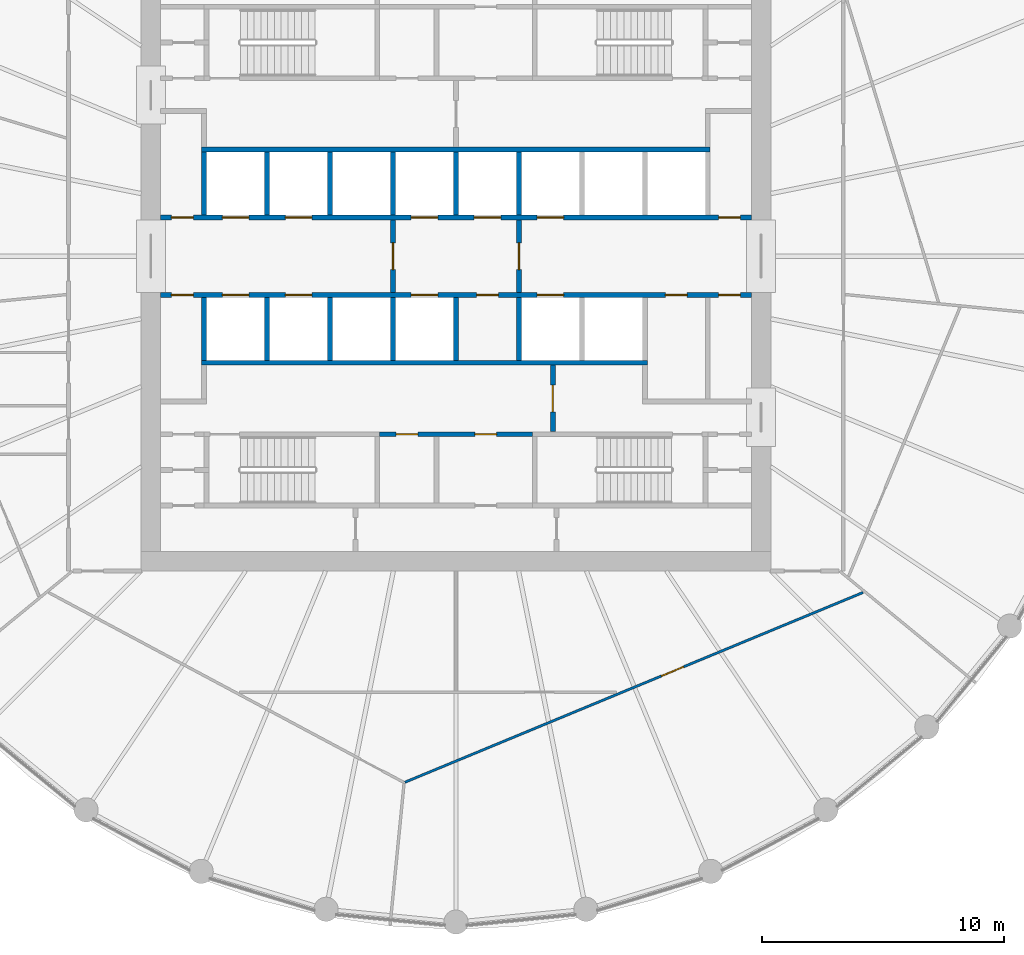
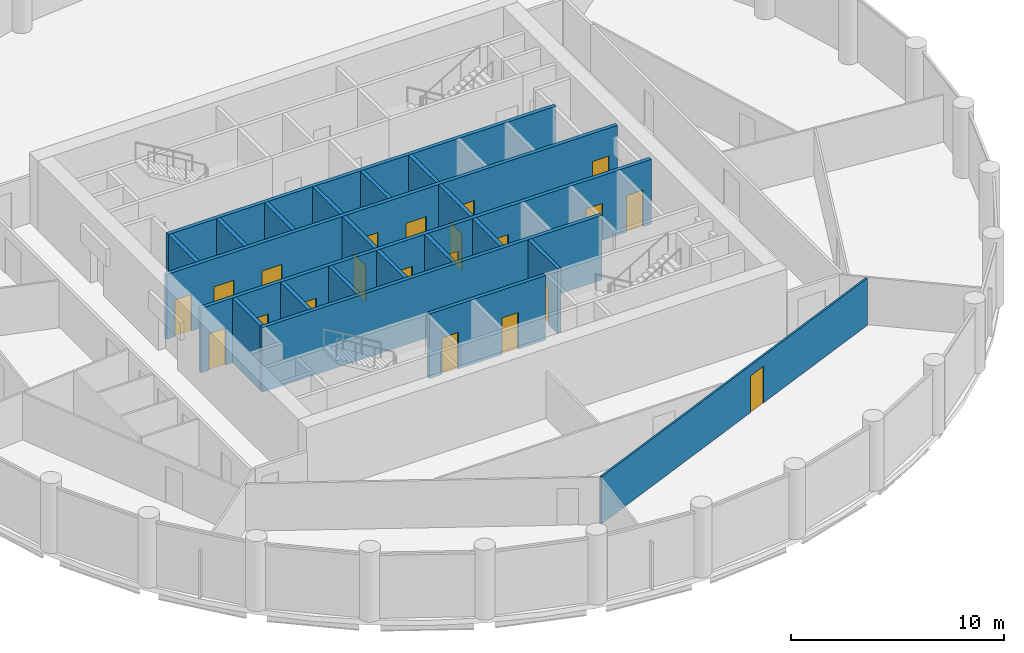
# One storey, part 5 of 9: 21 doors, 21 walls, 21 openings.
"""IFC4 building model written with IfcOpenShell, lengths in metres."""

from ifc_helpers import new_model, si_unit, direction, frame, frame_2d, origin, place, context, subcontext, project, spatial, polyline, rectangle, outline, extrude, material, layer, layer_set, type_object, element, fill, save


model = new_model("IFC4")

# Units and contexts
model_context = context("Model", 3, precision=1e-05, world=origin(), true_north=direction((0.0, 1.0)))
body_context = subcontext(model_context, "Body", "Model", "MODEL_VIEW")
ifc_project = project(units=[si_unit("LENGTHUNIT", "METRE"), si_unit("AREAUNIT", "SQUARE_METRE"), si_unit("VOLUMEUNIT", "CUBIC_METRE"), si_unit("PLANEANGLEUNIT", "RADIAN"), si_unit("MASSUNIT", "GRAM", prefix="KILO")], contexts=[model_context])

# Site, building, storey
site_placement = place(None, origin())
site = spatial("IfcSite", under=ifc_project, at=site_placement, CompositionType="ELEMENT")
building_placement = place(site_placement, origin())
building = spatial("IfcBuilding", under=site, at=building_placement, Name="Corvane Civic Tower", CompositionType="ELEMENT")
storey_placement = place(building_placement, frame((0.0, 0.0, 225.5)))
storey = spatial("IfcBuildingStorey", under=building, at=storey_placement, Name="L53", CompositionType="ELEMENT", Elevation=225.5)

# Wall, openings, doors
ifc_material_1 = material(Name="Concrete C30/37", Category="concrete")
ifc_layer_1 = layer(ifc_material_1, 0.199951171875)
ifc_layer_set_1 = layer_set([ifc_layer_1], Name="Concrete C30/37")
wall_type_1 = type_object("IfcWallType", Name="CR-WALL-200", PredefinedType="PARTITIONING", material=ifc_layer_set_1)
wall_1_placement = place(storey_placement, frame((-3.14990234375, -7.35009765625, 0.0), z_axis=(0.0, 0.0, 1.0), x_axis=(1.0, 0.0, 0.0)))
wall_1 = element("IfcWall", 1, at=wall_1_placement, inside=storey, type_object=wall_type_1, Name="L53 core partition wall", PredefinedType="PARTITIONING", context=body_context, shape_type="SweptSolid", body=[
    extrude(rectangle(XDim=6.2998046875, YDim=0.199951171875, at=frame_2d((3.14990234375, 0.0))), origin(), (0.0, 0.0, 1.0), 3.699951171875),
])
opening_1_placement = place(wall_1_placement, frame((0.675048828125, 0.0, 0.0)))
opening_1 = element("IfcOpeningElement", 2, at=opening_1_placement, cuts=wall_1, Name="Opening L53.C09", PredefinedType="OPENING", context=body_context, shape_type="SweptSolid", body=[
    extrude(rectangle(XDim=0.89990234375, YDim=2.10009765625, at=frame_2d((0.449951171875, 1.050048828125))), frame((0.0, 0.10986328125, 0.0), z_axis=(0.0, -1.0, 0.0), x_axis=(1.0, 0.0, 0.0)), (0.0, 0.0, 1.0), 0.219970703125),
])
opening_2_placement = place(wall_1_placement, frame((3.925048828125, 0.0, 0.0)))
opening_2 = element("IfcOpeningElement", 3, at=opening_2_placement, cuts=wall_1, Name="Opening L53.C10", PredefinedType="OPENING", context=body_context, shape_type="SweptSolid", body=[
    extrude(rectangle(XDim=0.89990234375, YDim=2.10009765625, at=frame_2d((0.449951171875, 1.050048828125))), frame((0.0, 0.10986328125, 0.0), z_axis=(0.0, -1.0, 0.0), x_axis=(1.0, 0.0, 0.0)), (0.0, 0.0, 1.0), 0.219970703125),
])
ifc_material_2 = material(Name="Steel fire door leaf", Category="steel")
door_type_1 = type_object("IfcDoorType", Name="CR-DOOR-900", OperationType="SINGLE_SWING_LEFT", PredefinedType="DOOR", material=ifc_material_2)
door_1_placement = place(opening_1_placement, origin())
door_1 = element("IfcDoor", 4, at=door_1_placement, inside=storey, type_object=door_type_1, Name="L53 door", OperationType="SINGLE_SWING_LEFT", OverallHeight=2.10009765625, OverallWidth=0.89990234375, PredefinedType="DOOR", context=body_context, shape_type="SweptSolid", body=[
    extrude(rectangle(XDim=0.89990234375, YDim=2.10009765625, at=frame_2d((0.449951171875, 1.050048828125))), frame((0.0, 0.02490234375, 0.0), z_axis=(0.0, -1.0, 0.0), x_axis=(1.0, 0.0, 0.0)), (0.0, 0.0, 1.0), 0.050048828125),
])
fill(opening_1, door_1)
door_2_placement = place(opening_2_placement, origin())
door_2 = element("IfcDoor", 5, at=door_2_placement, inside=storey, type_object=door_type_1, Name="L53 door", OperationType="SINGLE_SWING_LEFT", OverallHeight=2.10009765625, OverallWidth=0.89990234375, PredefinedType="DOOR", context=body_context, shape_type="SweptSolid", body=[
    extrude(rectangle(XDim=0.89990234375, YDim=2.10009765625, at=frame_2d((0.449951171875, 1.050048828125))), frame((0.0, 0.02490234375, 0.0), z_axis=(0.0, -1.0, 0.0), x_axis=(1.0, 0.0, 0.0)), (0.0, 0.0, 1.0), 0.050048828125),
])
fill(opening_2, door_2)

wall_2_placement = place(storey_placement, frame((-12.199951171875, -1.60009765625, 0.0), z_axis=(0.0, 0.0, 1.0), x_axis=(1.0, 0.0, 0.0)))
wall_2 = element("IfcWall", 6, at=wall_2_placement, inside=storey, type_object=wall_type_1, Name="L53 lift shaft wall", PredefinedType="PARTITIONING", context=body_context, shape_type="SweptSolid", body=[
    extrude(rectangle(XDim=24.39990234375, YDim=0.199951171875, at=frame_2d((12.199951171875, 0.0))), origin(), (0.0, 0.0, 1.0), 3.699951171875),
])
opening_3_placement = place(wall_2_placement, frame((2.550048828125, 0.0, 0.0)))
opening_3 = element("IfcOpeningElement", 7, at=opening_3_placement, cuts=wall_2, Name="Opening LD", PredefinedType="OPENING", context=body_context, shape_type="SweptSolid", body=[
    extrude(rectangle(XDim=1.10009765625, YDim=2.10009765625, at=frame_2d((0.550048828125, 1.050048828125))), frame((0.0, 0.10986328125, 0.0), z_axis=(0.0, -1.0, 0.0), x_axis=(1.0, 0.0, 0.0)), (0.0, 0.0, 1.0), 0.219970703125),
])
opening_4_placement = place(wall_2_placement, frame((5.14990234375, 0.0, 0.0)))
opening_4 = element("IfcOpeningElement", 8, at=opening_4_placement, cuts=wall_2, Name="Opening LD", PredefinedType="OPENING", context=body_context, shape_type="SweptSolid", body=[
    extrude(rectangle(XDim=1.10009765625, YDim=2.10009765625, at=frame_2d((0.550048828125, 1.050048828125))), frame((0.0, 0.10986328125, 0.0), z_axis=(0.0, -1.0, 0.0), x_axis=(1.0, 0.0, 0.0)), (0.0, 0.0, 1.0), 0.219970703125),
])
opening_5_placement = place(wall_2_placement, frame((10.35009765625, 0.0, 0.0)))
opening_5 = element("IfcOpeningElement", 9, at=opening_5_placement, cuts=wall_2, Name="Opening LD", PredefinedType="OPENING", context=body_context, shape_type="SweptSolid", body=[
    extrude(rectangle(XDim=1.10009765625, YDim=2.10009765625, at=frame_2d((0.550048828125, 1.050048828125))), frame((0.0, 0.10986328125, 0.0), z_axis=(0.0, -1.0, 0.0), x_axis=(1.0, 0.0, 0.0)), (0.0, 0.0, 1.0), 0.219970703125),
])
opening_6_placement = place(wall_2_placement, frame((13.050048828125, 0.0, 0.0)))
opening_6 = element("IfcOpeningElement", 10, at=opening_6_placement, cuts=wall_2, Name="Opening L53.C03", PredefinedType="OPENING", context=body_context, shape_type="SweptSolid", body=[
    extrude(rectangle(XDim=0.89990234375, YDim=2.10009765625, at=frame_2d((0.449951171875, 1.050048828125))), frame((0.0, 0.10986328125, 0.0), z_axis=(0.0, -1.0, 0.0), x_axis=(1.0, 0.0, 0.0)), (0.0, 0.0, 1.0), 0.219970703125),
])
opening_7_placement = place(wall_2_placement, frame((15.550048828125, 0.0, 0.0)))
opening_7 = element("IfcOpeningElement", 11, at=opening_7_placement, cuts=wall_2, Name="Opening LD", PredefinedType="OPENING", context=body_context, shape_type="SweptSolid", body=[
    extrude(rectangle(XDim=1.10009765625, YDim=2.10009765625, at=frame_2d((0.550048828125, 1.050048828125))), frame((0.0, 0.10986328125, 0.0), z_axis=(0.0, -1.0, 0.0), x_axis=(1.0, 0.0, 0.0)), (0.0, 0.0, 1.0), 0.219970703125),
])
opening_8_placement = place(wall_2_placement, frame((0.449951171875, 0.0, 0.0)))
opening_8 = element("IfcOpeningElement", 12, at=opening_8_placement, cuts=wall_2, Name="Opening L53.C04", PredefinedType="OPENING", context=body_context, shape_type="SweptSolid", body=[
    extrude(rectangle(XDim=0.89990234375, YDim=2.10009765625, at=frame_2d((0.449951171875, 1.050048828125))), frame((0.0, 0.10986328125, 0.0), z_axis=(0.0, -1.0, 0.0), x_axis=(1.0, 0.0, 0.0)), (0.0, 0.0, 1.0), 0.219970703125),
])
opening_9_placement = place(wall_2_placement, frame((20.85009765625, 0.0, 0.0)))
opening_9 = element("IfcOpeningElement", 13, at=opening_9_placement, cuts=wall_2, Name="Opening L53.C05", PredefinedType="OPENING", context=body_context, shape_type="SweptSolid", body=[
    extrude(rectangle(XDim=0.89990234375, YDim=2.10009765625, at=frame_2d((0.449951171875, 1.050048828125))), frame((0.0, 0.10986328125, 0.0), z_axis=(0.0, -1.0, 0.0), x_axis=(1.0, 0.0, 0.0)), (0.0, 0.0, 1.0), 0.219970703125),
])
opening_10_placement = place(wall_2_placement, frame((23.050048828125, 0.0, 0.0)))
opening_10 = element("IfcOpeningElement", 14, at=opening_10_placement, cuts=wall_2, Name="Opening L53.C06", PredefinedType="OPENING", context=body_context, shape_type="SweptSolid", body=[
    extrude(rectangle(XDim=0.89990234375, YDim=2.10009765625, at=frame_2d((0.449951171875, 1.050048828125))), frame((0.0, 0.10986328125, 0.0), z_axis=(0.0, -1.0, 0.0), x_axis=(1.0, 0.0, 0.0)), (0.0, 0.0, 1.0), 0.219970703125),
])
door_3_placement = place(opening_6_placement, origin())
door_3 = element("IfcDoor", 15, at=door_3_placement, inside=storey, type_object=door_type_1, Name="L53 door", OperationType="SINGLE_SWING_LEFT", OverallHeight=2.10009765625, OverallWidth=0.89990234375, PredefinedType="DOOR", context=body_context, shape_type="SweptSolid", body=[
    extrude(rectangle(XDim=0.89990234375, YDim=2.10009765625, at=frame_2d((0.449951171875, 1.050048828125))), frame((0.0, 0.02490234375, 0.0), z_axis=(0.0, -1.0, 0.0), x_axis=(1.0, 0.0, 0.0)), (0.0, 0.0, 1.0), 0.050048828125),
])
fill(opening_6, door_3)
door_4_placement = place(opening_8_placement, origin())
door_4 = element("IfcDoor", 16, at=door_4_placement, inside=storey, type_object=door_type_1, Name="L53 door", OperationType="SINGLE_SWING_LEFT", OverallHeight=2.10009765625, OverallWidth=0.89990234375, PredefinedType="DOOR", context=body_context, shape_type="SweptSolid", body=[
    extrude(rectangle(XDim=0.89990234375, YDim=2.10009765625, at=frame_2d((0.449951171875, 1.050048828125))), frame((0.0, 0.02490234375, 0.0), z_axis=(0.0, -1.0, 0.0), x_axis=(1.0, 0.0, 0.0)), (0.0, 0.0, 1.0), 0.050048828125),
])
fill(opening_8, door_4)
door_5_placement = place(opening_9_placement, origin())
door_5 = element("IfcDoor", 17, at=door_5_placement, inside=storey, type_object=door_type_1, Name="L53 door", OperationType="SINGLE_SWING_LEFT", OverallHeight=2.10009765625, OverallWidth=0.89990234375, PredefinedType="DOOR", context=body_context, shape_type="SweptSolid", body=[
    extrude(rectangle(XDim=0.89990234375, YDim=2.10009765625, at=frame_2d((0.449951171875, 1.050048828125))), frame((0.0, 0.02490234375, 0.0), z_axis=(0.0, -1.0, 0.0), x_axis=(1.0, 0.0, 0.0)), (0.0, 0.0, 1.0), 0.050048828125),
])
fill(opening_9, door_5)
door_6_placement = place(opening_10_placement, origin())
door_6 = element("IfcDoor", 18, at=door_6_placement, inside=storey, type_object=door_type_1, Name="L53 door", OperationType="SINGLE_SWING_LEFT", OverallHeight=2.10009765625, OverallWidth=0.89990234375, PredefinedType="DOOR", context=body_context, shape_type="SweptSolid", body=[
    extrude(rectangle(XDim=0.89990234375, YDim=2.10009765625, at=frame_2d((0.449951171875, 1.050048828125))), frame((0.0, 0.02490234375, 0.0), z_axis=(0.0, -1.0, 0.0), x_axis=(1.0, 0.0, 0.0)), (0.0, 0.0, 1.0), 0.050048828125),
])
fill(opening_10, door_6)
ifc_material_3 = material(Name="Stainless steel 316 door leaves", Category="steel")
door_type_2 = type_object("IfcDoorType", Name="LD", OperationType="DOUBLE_DOOR_SLIDING", PredefinedType="DOOR", material=ifc_material_3)
door_7_placement = place(opening_3_placement, origin())
door_7 = element("IfcDoor", 19, at=door_7_placement, inside=storey, type_object=door_type_2, Name="L53 landing door", OperationType="DOUBLE_DOOR_SLIDING", OverallHeight=2.10009765625, OverallWidth=1.10009765625, PredefinedType="DOOR", context=body_context, shape_type="SweptSolid", body=[
    extrude(rectangle(XDim=1.10009765625, YDim=2.10009765625, at=frame_2d((0.550048828125, 1.050048828125))), frame((0.0, 0.02490234375, 0.0), z_axis=(0.0, -1.0, 0.0), x_axis=(1.0, 0.0, 0.0)), (0.0, 0.0, 1.0), 0.050048828125),
])
fill(opening_3, door_7)
door_8_placement = place(opening_4_placement, origin())
door_8 = element("IfcDoor", 20, at=door_8_placement, inside=storey, type_object=door_type_2, Name="L53 landing door", OperationType="DOUBLE_DOOR_SLIDING", OverallHeight=2.10009765625, OverallWidth=1.10009765625, PredefinedType="DOOR", context=body_context, shape_type="SweptSolid", body=[
    extrude(rectangle(XDim=1.10009765625, YDim=2.10009765625, at=frame_2d((0.550048828125, 1.050048828125))), frame((0.0, 0.02490234375, 0.0), z_axis=(0.0, -1.0, 0.0), x_axis=(1.0, 0.0, 0.0)), (0.0, 0.0, 1.0), 0.050048828125),
])
fill(opening_4, door_8)
door_9_placement = place(opening_5_placement, origin())
door_9 = element("IfcDoor", 21, at=door_9_placement, inside=storey, type_object=door_type_2, Name="L53 landing door", OperationType="DOUBLE_DOOR_SLIDING", OverallHeight=2.10009765625, OverallWidth=1.10009765625, PredefinedType="DOOR", context=body_context, shape_type="SweptSolid", body=[
    extrude(rectangle(XDim=1.10009765625, YDim=2.10009765625, at=frame_2d((0.550048828125, 1.050048828125))), frame((0.0, 0.02490234375, 0.0), z_axis=(0.0, -1.0, 0.0), x_axis=(1.0, 0.0, 0.0)), (0.0, 0.0, 1.0), 0.050048828125),
])
fill(opening_5, door_9)
door_10_placement = place(opening_7_placement, origin())
door_10 = element("IfcDoor", 22, at=door_10_placement, inside=storey, type_object=door_type_2, Name="L53 landing door", OperationType="DOUBLE_DOOR_SLIDING", OverallHeight=2.10009765625, OverallWidth=1.10009765625, PredefinedType="DOOR", context=body_context, shape_type="SweptSolid", body=[
    extrude(rectangle(XDim=1.10009765625, YDim=2.10009765625, at=frame_2d((0.550048828125, 1.050048828125))), frame((0.0, 0.02490234375, 0.0), z_axis=(0.0, -1.0, 0.0), x_axis=(1.0, 0.0, 0.0)), (0.0, 0.0, 1.0), 0.050048828125),
])
fill(opening_7, door_10)

wall_3_placement = place(storey_placement, frame((-12.199951171875, 1.60009765625, 0.0), z_axis=(0.0, 0.0, 1.0), x_axis=(1.0, 0.0, 0.0)))
wall_3 = element("IfcWall", 23, at=wall_3_placement, inside=storey, type_object=wall_type_1, Name="L53 lift shaft wall", PredefinedType="PARTITIONING", context=body_context, shape_type="SweptSolid", body=[
    extrude(rectangle(XDim=24.39990234375, YDim=0.199951171875, at=frame_2d((12.199951171875, 0.0))), origin(), (0.0, 0.0, 1.0), 3.699951171875),
])
opening_11_placement = place(wall_3_placement, frame((2.550048828125, 0.0, 0.0)))
opening_11 = element("IfcOpeningElement", 24, at=opening_11_placement, cuts=wall_3, Name="Opening LD", PredefinedType="OPENING", context=body_context, shape_type="SweptSolid", body=[
    extrude(rectangle(XDim=1.10009765625, YDim=2.10009765625, at=frame_2d((0.550048828125, 1.050048828125))), frame((0.0, 0.10986328125, 0.0), z_axis=(0.0, -1.0, 0.0), x_axis=(1.0, 0.0, 0.0)), (0.0, 0.0, 1.0), 0.219970703125),
])
opening_12_placement = place(wall_3_placement, frame((5.14990234375, 0.0, 0.0)))
opening_12 = element("IfcOpeningElement", 25, at=opening_12_placement, cuts=wall_3, Name="Opening LD", PredefinedType="OPENING", context=body_context, shape_type="SweptSolid", body=[
    extrude(rectangle(XDim=1.10009765625, YDim=2.10009765625, at=frame_2d((0.550048828125, 1.050048828125))), frame((0.0, 0.10986328125, 0.0), z_axis=(0.0, -1.0, 0.0), x_axis=(1.0, 0.0, 0.0)), (0.0, 0.0, 1.0), 0.219970703125),
])
opening_13_placement = place(wall_3_placement, frame((10.35009765625, 0.0, 0.0)))
opening_13 = element("IfcOpeningElement", 26, at=opening_13_placement, cuts=wall_3, Name="Opening LD", PredefinedType="OPENING", context=body_context, shape_type="SweptSolid", body=[
    extrude(rectangle(XDim=1.10009765625, YDim=2.10009765625, at=frame_2d((0.550048828125, 1.050048828125))), frame((0.0, 0.10986328125, 0.0), z_axis=(0.0, -1.0, 0.0), x_axis=(1.0, 0.0, 0.0)), (0.0, 0.0, 1.0), 0.219970703125),
])
opening_14_placement = place(wall_3_placement, frame((12.949951171875, 0.0, 0.0)))
opening_14 = element("IfcOpeningElement", 27, at=opening_14_placement, cuts=wall_3, Name="Opening LD", PredefinedType="OPENING", context=body_context, shape_type="SweptSolid", body=[
    extrude(rectangle(XDim=1.10009765625, YDim=2.10009765625, at=frame_2d((0.550048828125, 1.050048828125))), frame((0.0, 0.10986328125, 0.0), z_axis=(0.0, -1.0, 0.0), x_axis=(1.0, 0.0, 0.0)), (0.0, 0.0, 1.0), 0.219970703125),
])
opening_15_placement = place(wall_3_placement, frame((15.550048828125, 0.0, 0.0)))
opening_15 = element("IfcOpeningElement", 28, at=opening_15_placement, cuts=wall_3, Name="Opening LD", PredefinedType="OPENING", context=body_context, shape_type="SweptSolid", body=[
    extrude(rectangle(XDim=1.10009765625, YDim=2.10009765625, at=frame_2d((0.550048828125, 1.050048828125))), frame((0.0, 0.10986328125, 0.0), z_axis=(0.0, -1.0, 0.0), x_axis=(1.0, 0.0, 0.0)), (0.0, 0.0, 1.0), 0.219970703125),
])
opening_16_placement = place(wall_3_placement, frame((0.449951171875, 0.0, 0.0)))
opening_16 = element("IfcOpeningElement", 29, at=opening_16_placement, cuts=wall_3, Name="Opening L53.C01", PredefinedType="OPENING", context=body_context, shape_type="SweptSolid", body=[
    extrude(rectangle(XDim=0.89990234375, YDim=2.10009765625, at=frame_2d((0.449951171875, 1.050048828125))), frame((0.0, 0.10986328125, 0.0), z_axis=(0.0, -1.0, 0.0), x_axis=(1.0, 0.0, 0.0)), (0.0, 0.0, 1.0), 0.219970703125),
])
opening_17_placement = place(wall_3_placement, frame((23.050048828125, 0.0, 0.0)))
opening_17 = element("IfcOpeningElement", 30, at=opening_17_placement, cuts=wall_3, Name="Opening L53.C02", PredefinedType="OPENING", context=body_context, shape_type="SweptSolid", body=[
    extrude(rectangle(XDim=0.89990234375, YDim=2.10009765625, at=frame_2d((0.449951171875, 1.050048828125))), frame((0.0, 0.10986328125, 0.0), z_axis=(0.0, -1.0, 0.0), x_axis=(1.0, 0.0, 0.0)), (0.0, 0.0, 1.0), 0.219970703125),
])
door_11_placement = place(opening_16_placement, origin())
door_11 = element("IfcDoor", 31, at=door_11_placement, inside=storey, type_object=door_type_1, Name="L53 door", OperationType="SINGLE_SWING_LEFT", OverallHeight=2.10009765625, OverallWidth=0.89990234375, PredefinedType="DOOR", context=body_context, shape_type="SweptSolid", body=[
    extrude(rectangle(XDim=0.89990234375, YDim=2.10009765625, at=frame_2d((0.449951171875, 1.050048828125))), frame((0.0, 0.02490234375, 0.0), z_axis=(0.0, -1.0, 0.0), x_axis=(1.0, 0.0, 0.0)), (0.0, 0.0, 1.0), 0.050048828125),
])
fill(opening_16, door_11)
door_12_placement = place(opening_17_placement, origin())
door_12 = element("IfcDoor", 32, at=door_12_placement, inside=storey, type_object=door_type_1, Name="L53 door", OperationType="SINGLE_SWING_LEFT", OverallHeight=2.10009765625, OverallWidth=0.89990234375, PredefinedType="DOOR", context=body_context, shape_type="SweptSolid", body=[
    extrude(rectangle(XDim=0.89990234375, YDim=2.10009765625, at=frame_2d((0.449951171875, 1.050048828125))), frame((0.0, 0.02490234375, 0.0), z_axis=(0.0, -1.0, 0.0), x_axis=(1.0, 0.0, 0.0)), (0.0, 0.0, 1.0), 0.050048828125),
])
fill(opening_17, door_12)
door_13_placement = place(opening_11_placement, origin())
door_13 = element("IfcDoor", 33, at=door_13_placement, inside=storey, type_object=door_type_2, Name="L53 landing door", OperationType="DOUBLE_DOOR_SLIDING", OverallHeight=2.10009765625, OverallWidth=1.10009765625, PredefinedType="DOOR", context=body_context, shape_type="SweptSolid", body=[
    extrude(rectangle(XDim=1.10009765625, YDim=2.10009765625, at=frame_2d((0.550048828125, 1.050048828125))), frame((0.0, 0.02490234375, 0.0), z_axis=(0.0, -1.0, 0.0), x_axis=(1.0, 0.0, 0.0)), (0.0, 0.0, 1.0), 0.050048828125),
])
fill(opening_11, door_13)
door_14_placement = place(opening_12_placement, origin())
door_14 = element("IfcDoor", 34, at=door_14_placement, inside=storey, type_object=door_type_2, Name="L53 landing door", OperationType="DOUBLE_DOOR_SLIDING", OverallHeight=2.10009765625, OverallWidth=1.10009765625, PredefinedType="DOOR", context=body_context, shape_type="SweptSolid", body=[
    extrude(rectangle(XDim=1.10009765625, YDim=2.10009765625, at=frame_2d((0.550048828125, 1.050048828125))), frame((0.0, 0.02490234375, 0.0), z_axis=(0.0, -1.0, 0.0), x_axis=(1.0, 0.0, 0.0)), (0.0, 0.0, 1.0), 0.050048828125),
])
fill(opening_12, door_14)
door_15_placement = place(opening_13_placement, origin())
door_15 = element("IfcDoor", 35, at=door_15_placement, inside=storey, type_object=door_type_2, Name="L53 landing door", OperationType="DOUBLE_DOOR_SLIDING", OverallHeight=2.10009765625, OverallWidth=1.10009765625, PredefinedType="DOOR", context=body_context, shape_type="SweptSolid", body=[
    extrude(rectangle(XDim=1.10009765625, YDim=2.10009765625, at=frame_2d((0.550048828125, 1.050048828125))), frame((0.0, 0.02490234375, 0.0), z_axis=(0.0, -1.0, 0.0), x_axis=(1.0, 0.0, 0.0)), (0.0, 0.0, 1.0), 0.050048828125),
])
fill(opening_13, door_15)
door_16_placement = place(opening_14_placement, origin())
door_16 = element("IfcDoor", 36, at=door_16_placement, inside=storey, type_object=door_type_2, Name="L53 landing door", OperationType="DOUBLE_DOOR_SLIDING", OverallHeight=2.10009765625, OverallWidth=1.10009765625, PredefinedType="DOOR", context=body_context, shape_type="SweptSolid", body=[
    extrude(rectangle(XDim=1.10009765625, YDim=2.10009765625, at=frame_2d((0.550048828125, 1.050048828125))), frame((0.0, 0.02490234375, 0.0), z_axis=(0.0, -1.0, 0.0), x_axis=(1.0, 0.0, 0.0)), (0.0, 0.0, 1.0), 0.050048828125),
])
fill(opening_14, door_16)
door_17_placement = place(opening_15_placement, origin())
door_17 = element("IfcDoor", 37, at=door_17_placement, inside=storey, type_object=door_type_2, Name="L53 landing door", OperationType="DOUBLE_DOOR_SLIDING", OverallHeight=2.10009765625, OverallWidth=1.10009765625, PredefinedType="DOOR", context=body_context, shape_type="SweptSolid", body=[
    extrude(rectangle(XDim=1.10009765625, YDim=2.10009765625, at=frame_2d((0.550048828125, 1.050048828125))), frame((0.0, 0.02490234375, 0.0), z_axis=(0.0, -1.0, 0.0), x_axis=(1.0, 0.0, 0.0)), (0.0, 0.0, 1.0), 0.050048828125),
])
fill(opening_15, door_17)

# Wall, opening, door
wall_4_placement = place(storey_placement, frame((-2.60009765625, -1.5, 0.0), z_axis=(0.0, 0.0, 1.0), x_axis=(0.0, 1.0, 0.0)))
wall_4 = element("IfcWall", 38, at=wall_4_placement, inside=storey, type_object=wall_type_1, Name="L53 firefighting lobby wall", PredefinedType="PARTITIONING", context=body_context, shape_type="SweptSolid", body=[
    extrude(rectangle(XDim=3.0, YDim=0.199951171875, at=frame_2d((1.5, 0.0))), origin(), (0.0, 0.0, 1.0), 3.699951171875),
])
opening_18_placement = place(wall_4_placement, frame((0.949951171875, 0.0, 0.0)))
opening_18 = element("IfcOpeningElement", 39, at=opening_18_placement, cuts=wall_4, Name="Opening L53.C30", PredefinedType="OPENING", context=body_context, shape_type="SweptSolid", body=[
    extrude(rectangle(XDim=1.10009765625, YDim=2.10009765625, at=frame_2d((0.550048828125, 1.050048828125))), frame((0.0, 0.10986328125, 0.0), z_axis=(0.0, -1.0, 0.0), x_axis=(1.0, 0.0, 0.0)), (0.0, 0.0, 1.0), 0.219970703125),
])
ifc_material_4 = material(Name="Steel fire door leaf", Category="steel")
door_type_3 = type_object("IfcDoorType", Name="CR-DOOR-FFL-1100", OperationType="SINGLE_SWING_LEFT", PredefinedType="DOOR", material=ifc_material_4)
door_18_placement = place(opening_18_placement, origin())
door_18 = element("IfcDoor", 40, at=door_18_placement, inside=storey, type_object=door_type_3, Name="L53 lobby door", OperationType="SINGLE_SWING_LEFT", OverallHeight=2.10009765625, OverallWidth=1.10009765625, PredefinedType="DOOR", context=body_context, shape_type="SweptSolid", body=[
    extrude(rectangle(XDim=1.10009765625, YDim=2.10009765625, at=frame_2d((0.550048828125, 1.050048828125))), frame((0.0, 0.02490234375, 0.0), z_axis=(0.0, -1.0, 0.0), x_axis=(1.0, 0.0, 0.0)), (0.0, 0.0, 1.0), 0.050048828125),
])
fill(opening_18, door_18)

wall_5_placement = place(storey_placement, frame((2.60009765625, -1.5, 0.0), z_axis=(0.0, 0.0, 1.0), x_axis=(0.0, 1.0, 0.0)))
wall_5 = element("IfcWall", 41, at=wall_5_placement, inside=storey, type_object=wall_type_1, Name="L53 firefighting lobby wall", PredefinedType="PARTITIONING", context=body_context, shape_type="SweptSolid", body=[
    extrude(rectangle(XDim=3.0, YDim=0.199951171875, at=frame_2d((1.5, 0.0))), origin(), (0.0, 0.0, 1.0), 3.699951171875),
])
opening_19_placement = place(wall_5_placement, frame((0.949951171875, 0.0, 0.0)))
opening_19 = element("IfcOpeningElement", 42, at=opening_19_placement, cuts=wall_5, Name="Opening L53.C31", PredefinedType="OPENING", context=body_context, shape_type="SweptSolid", body=[
    extrude(rectangle(XDim=1.10009765625, YDim=2.10009765625, at=frame_2d((0.550048828125, 1.050048828125))), frame((0.0, 0.10986328125, 0.0), z_axis=(0.0, -1.0, 0.0), x_axis=(1.0, 0.0, 0.0)), (0.0, 0.0, 1.0), 0.219970703125),
])
door_19_placement = place(opening_19_placement, origin())
door_19 = element("IfcDoor", 43, at=door_19_placement, inside=storey, type_object=door_type_3, Name="L53 lobby door", OperationType="SINGLE_SWING_LEFT", OverallHeight=2.10009765625, OverallWidth=1.10009765625, PredefinedType="DOOR", context=body_context, shape_type="SweptSolid", body=[
    extrude(rectangle(XDim=1.10009765625, YDim=2.10009765625, at=frame_2d((0.550048828125, 1.050048828125))), frame((0.0, 0.02490234375, 0.0), z_axis=(0.0, -1.0, 0.0), x_axis=(1.0, 0.0, 0.0)), (0.0, 0.0, 1.0), 0.050048828125),
])
fill(opening_19, door_19)

wall_6_placement = place(storey_placement, frame((4.0, -7.25, 0.0), z_axis=(0.0, 0.0, 1.0), x_axis=(0.0, 1.0, 0.0)))
wall_6 = element("IfcWall", 44, at=wall_6_placement, inside=storey, type_object=wall_type_1, Name="L53 core partition wall", PredefinedType="PARTITIONING", context=body_context, shape_type="SweptSolid", body=[
    extrude(rectangle(XDim=2.75, YDim=0.199951171875, at=frame_2d((1.375, 0.0))), origin(), (0.0, 0.0, 1.0), 3.699951171875),
])
opening_20_placement = place(wall_6_placement, frame((0.824951171875, 0.0, 0.0)))
opening_20 = element("IfcOpeningElement", 45, at=opening_20_placement, cuts=wall_6, Name="Opening L53.C33", PredefinedType="OPENING", context=body_context, shape_type="SweptSolid", body=[
    extrude(rectangle(XDim=1.10009765625, YDim=2.10009765625, at=frame_2d((0.550048828125, 1.050048828125))), frame((0.0, 0.10986328125, 0.0), z_axis=(0.0, -1.0, 0.0), x_axis=(1.0, 0.0, 0.0)), (0.0, 0.0, 1.0), 0.219970703125),
])
door_20_placement = place(opening_20_placement, origin())
door_20 = element("IfcDoor", 46, at=door_20_placement, inside=storey, type_object=door_type_3, Name="L53 lobby door", OperationType="SINGLE_SWING_LEFT", OverallHeight=2.10009765625, OverallWidth=1.10009765625, PredefinedType="DOOR", context=body_context, shape_type="SweptSolid", body=[
    extrude(rectangle(XDim=1.10009765625, YDim=2.10009765625, at=frame_2d((0.550048828125, 1.050048828125))), frame((0.0, 0.02490234375, 0.0), z_axis=(0.0, -1.0, 0.0), x_axis=(1.0, 0.0, 0.0)), (0.0, 0.0, 1.0), 0.050048828125),
])
fill(opening_20, door_20)

# Walls
wall_7_placement = place(storey_placement, origin())
element("IfcWall", 47, at=wall_7_placement, inside=storey, type_object=wall_type_1, Name="L53 core partition wall", PredefinedType="PARTITIONING", context=body_context, shape_type="SweptSolid", body=[
    extrude(outline(polyline([(7.89990234375, -4.300048828125), (7.89990234375, -4.5), (-10.5, -4.5), (-10.5, -4.300048828125), (7.89990234375, -4.300048828125)])), origin(), (0.0, 0.0, 1.0), 3.699951171875),
])
wall_8_placement = place(storey_placement, origin())
element("IfcWall", 48, at=wall_8_placement, inside=storey, type_object=wall_type_1, Name="L53 core partition wall", PredefinedType="PARTITIONING", context=body_context, shape_type="SweptSolid", body=[
    extrude(outline(polyline([(-2.5, -1.699951171875), (-2.5, -4.2998046875), (-2.699951171875, -4.2998046875), (-2.699951171875, -1.699951171875), (-2.5, -1.699951171875)])), origin(), (0.0, 0.0, 1.0), 3.699951171875),
])
wall_9_placement = place(storey_placement, origin())
element("IfcWall", 49, at=wall_9_placement, inside=storey, type_object=wall_type_1, Name="L53 core partition wall", PredefinedType="PARTITIONING", context=body_context, shape_type="SweptSolid", body=[
    extrude(outline(polyline([(2.699951171875, -1.699951171875), (2.699951171875, -4.2998046875), (2.5, -4.2998046875), (2.5, -1.699951171875), (2.699951171875, -1.699951171875)])), origin(), (0.0, 0.0, 1.0), 3.699951171875),
])
wall_10_placement = place(storey_placement, origin())
element("IfcWall", 50, at=wall_10_placement, inside=storey, type_object=wall_type_1, Name="L53 core partition wall", PredefinedType="PARTITIONING", context=body_context, shape_type="SweptSolid", body=[
    extrude(outline(polyline([(0.10009765625, -1.699951171875), (0.10009765625, -4.2998046875), (-0.10009765625, -4.2998046875), (-0.10009765625, -1.699951171875), (0.10009765625, -1.699951171875)])), origin(), (0.0, 0.0, 1.0), 3.699951171875),
])
wall_11_placement = place(storey_placement, origin())
element("IfcWall", 51, at=wall_11_placement, inside=storey, type_object=wall_type_1, Name="L53 core partition wall", PredefinedType="PARTITIONING", context=body_context, shape_type="SweptSolid", body=[
    extrude(outline(polyline([(-10.300048828125, -1.699951171875), (-10.300048828125, -4.2998046875), (-10.5, -4.2998046875), (-10.5, -1.699951171875), (-10.300048828125, -1.699951171875)])), origin(), (0.0, 0.0, 1.0), 3.699951171875),
])
wall_12_placement = place(storey_placement, origin())
element("IfcWall", 52, at=wall_12_placement, inside=storey, type_object=wall_type_1, Name="L53 core partition wall", PredefinedType="PARTITIONING", context=body_context, shape_type="SweptSolid", body=[
    extrude(outline(polyline([(-7.699951171875, -1.699951171875), (-7.699951171875, -4.2998046875), (-7.89990234375, -4.2998046875), (-7.89990234375, -1.699951171875), (-7.699951171875, -1.699951171875)])), origin(), (0.0, 0.0, 1.0), 3.699951171875),
])
wall_13_placement = place(storey_placement, origin())
element("IfcWall", 53, at=wall_13_placement, inside=storey, type_object=wall_type_1, Name="L53 core partition wall", PredefinedType="PARTITIONING", context=body_context, shape_type="SweptSolid", body=[
    extrude(outline(polyline([(-5.10009765625, -1.699951171875), (-5.10009765625, -4.2998046875), (-5.300048828125, -4.2998046875), (-5.300048828125, -1.699951171875), (-5.10009765625, -1.699951171875)])), origin(), (0.0, 0.0, 1.0), 3.699951171875),
])
wall_14_placement = place(storey_placement, origin())
element("IfcWall", 54, at=wall_14_placement, inside=storey, type_object=wall_type_1, Name="L53 core partition wall", PredefinedType="PARTITIONING", context=body_context, shape_type="SweptSolid", body=[
    extrude(outline(polyline([(10.5, 4.5), (10.5, 4.300048828125), (-10.5, 4.300048828125), (-10.5, 4.5), (10.5, 4.5)])), origin(), (0.0, 0.0, 1.0), 3.699951171875),
])
wall_15_placement = place(storey_placement, origin())
element("IfcWall", 55, at=wall_15_placement, inside=storey, type_object=wall_type_1, Name="L53 core partition wall", PredefinedType="PARTITIONING", context=body_context, shape_type="SweptSolid", body=[
    extrude(outline(polyline([(-2.5, 1.699951171875), (-2.699951171875, 1.699951171875), (-2.699951171875, 4.2998046875), (-2.5, 4.2998046875), (-2.5, 1.699951171875)])), origin(), (0.0, 0.0, 1.0), 3.699951171875),
])
wall_16_placement = place(storey_placement, origin())
element("IfcWall", 56, at=wall_16_placement, inside=storey, type_object=wall_type_1, Name="L53 core partition wall", PredefinedType="PARTITIONING", context=body_context, shape_type="SweptSolid", body=[
    extrude(outline(polyline([(2.699951171875, 1.699951171875), (2.5, 1.699951171875), (2.5, 4.2998046875), (2.699951171875, 4.2998046875), (2.699951171875, 1.699951171875)])), origin(), (0.0, 0.0, 1.0), 3.699951171875),
])
wall_17_placement = place(storey_placement, origin())
element("IfcWall", 57, at=wall_17_placement, inside=storey, type_object=wall_type_1, Name="L53 core partition wall", PredefinedType="PARTITIONING", context=body_context, shape_type="SweptSolid", body=[
    extrude(outline(polyline([(0.10009765625, 1.699951171875), (-0.10009765625, 1.699951171875), (-0.10009765625, 4.2998046875), (0.10009765625, 4.2998046875), (0.10009765625, 1.699951171875)])), origin(), (0.0, 0.0, 1.0), 3.699951171875),
])
wall_18_placement = place(storey_placement, origin())
element("IfcWall", 58, at=wall_18_placement, inside=storey, type_object=wall_type_1, Name="L53 core partition wall", PredefinedType="PARTITIONING", context=body_context, shape_type="SweptSolid", body=[
    extrude(outline(polyline([(-10.300048828125, 1.699951171875), (-10.5, 1.699951171875), (-10.5, 4.2998046875), (-10.300048828125, 4.2998046875), (-10.300048828125, 1.699951171875)])), origin(), (0.0, 0.0, 1.0), 3.699951171875),
])
wall_19_placement = place(storey_placement, origin())
element("IfcWall", 59, at=wall_19_placement, inside=storey, type_object=wall_type_1, Name="L53 core partition wall", PredefinedType="PARTITIONING", context=body_context, shape_type="SweptSolid", body=[
    extrude(outline(polyline([(-7.699951171875, 1.699951171875), (-7.89990234375, 1.699951171875), (-7.89990234375, 4.2998046875), (-7.699951171875, 4.2998046875), (-7.699951171875, 1.699951171875)])), origin(), (0.0, 0.0, 1.0), 3.699951171875),
])
wall_20_placement = place(storey_placement, origin())
element("IfcWall", 60, at=wall_20_placement, inside=storey, type_object=wall_type_1, Name="L53 core partition wall", PredefinedType="PARTITIONING", context=body_context, shape_type="SweptSolid", body=[
    extrude(outline(polyline([(-5.10009765625, 1.699951171875), (-5.300048828125, 1.699951171875), (-5.300048828125, 4.2998046875), (-5.10009765625, 4.2998046875), (-5.10009765625, 1.699951171875)])), origin(), (0.0, 0.0, 1.0), 3.699951171875),
])

# Wall, opening, door
ifc_material_5 = material(Name="Plasterboard")
ifc_layer_2 = layer(ifc_material_5, 0.10009765625)
ifc_layer_set_2 = layer_set([ifc_layer_2], Name="Plasterboard")
wall_type_2 = type_object("IfcWallType", Name="Partition 100 plasterboard on studs", PredefinedType="PARTITIONING", material=ifc_layer_set_2)
wall_21_placement = place(storey_placement, frame((-2.11328125, -21.726318359375, 0.0), z_axis=(0.0, 0.0, 1.0), x_axis=(0.923879386252, 0.382683785467, 0.0)))
wall_21 = element("IfcWall", 61, at=wall_21_placement, inside=storey, type_object=wall_type_2, Name="Partition L53.002", PredefinedType="PARTITIONING", context=body_context, shape_type="SweptSolid", body=[
    extrude(rectangle(XDim=20.47998046875, YDim=0.10009765625, at=frame_2d((10.239990234375, 0.0))), origin(), (0.0, 0.0, 1.0), 2.699951171875),
])
opening_21_placement = place(wall_21_placement, frame((11.467529296875, 0.0, 0.0)))
opening_21 = element("IfcOpeningElement", 62, at=opening_21_placement, cuts=wall_21, Name="Opening L53.002", PredefinedType="OPENING", context=body_context, shape_type="SweptSolid", body=[
    extrude(rectangle(XDim=1.0, YDim=2.10009765625, at=frame_2d((0.5, 1.050048828125))), frame((0.0, 0.06005859375, 0.0), z_axis=(0.0, -1.0, 0.0), x_axis=(1.0, 0.0, 0.0)), (0.0, 0.0, 1.0), 0.1201171875),
])
ifc_material_6 = material(Name="Timber", Category="wood")
door_type_4 = type_object("IfcDoorType", Name="Single door 1000", OperationType="NOTDEFINED", PredefinedType="DOOR", material=ifc_material_6)
door_21_placement = place(opening_21_placement, frame((1.0, 0.0, 0.0), z_axis=(0.0, 0.0, 1.0), x_axis=(-1.0, 0.0, 0.0)))
door_21 = element("IfcDoor", 63, at=door_21_placement, inside=storey, type_object=door_type_4, Name="Door L53.002", OperationType="SINGLE_SWING_RIGHT", OverallHeight=2.10009765625, OverallWidth=1.0, PredefinedType="DOOR", context=body_context, shape_type="SweptSolid", body=[
    extrude(rectangle(XDim=1.0, YDim=2.10009765625, at=frame_2d((0.5, 1.050048828125))), frame((0.0, 0.02490234375, 0.0), z_axis=(0.0, -1.0, 0.0), x_axis=(1.0, 0.0, 0.0)), (0.0, 0.0, 1.0), 0.050048828125),
])
fill(opening_21, door_21)

save(model, "model.ifc")
